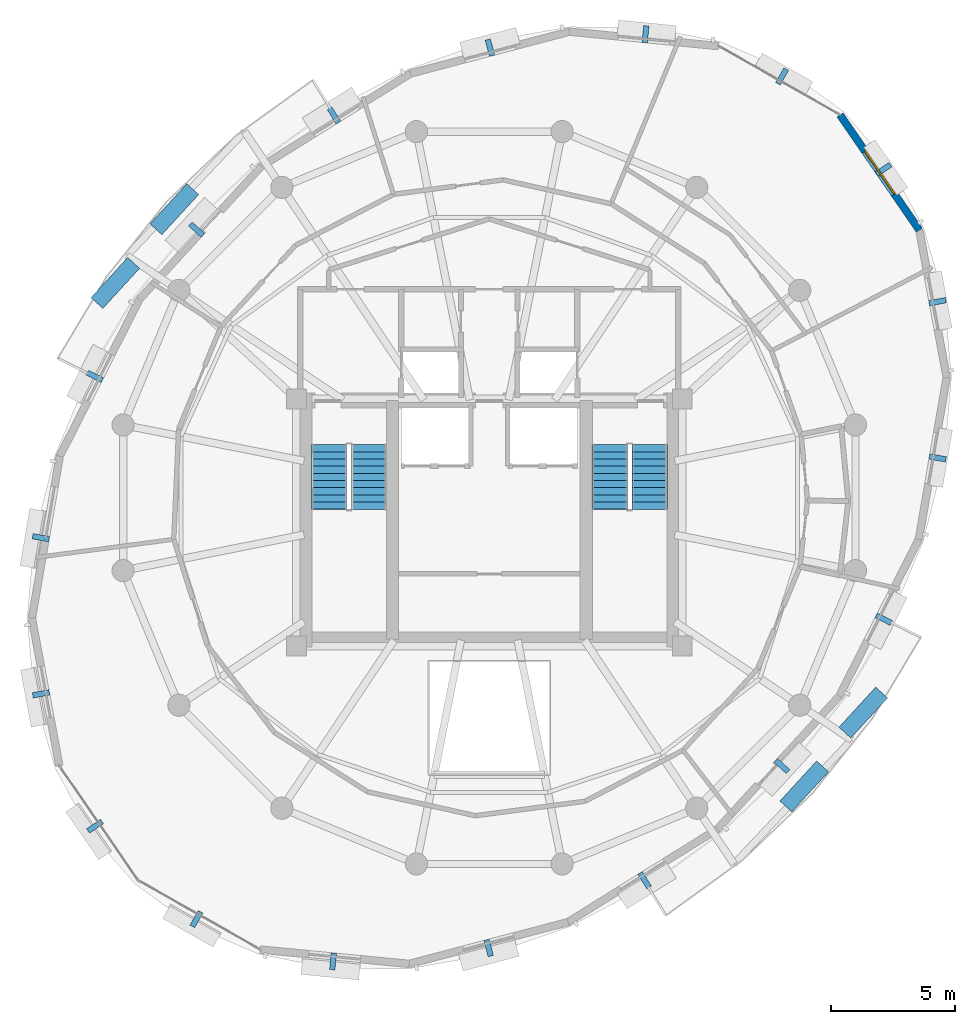
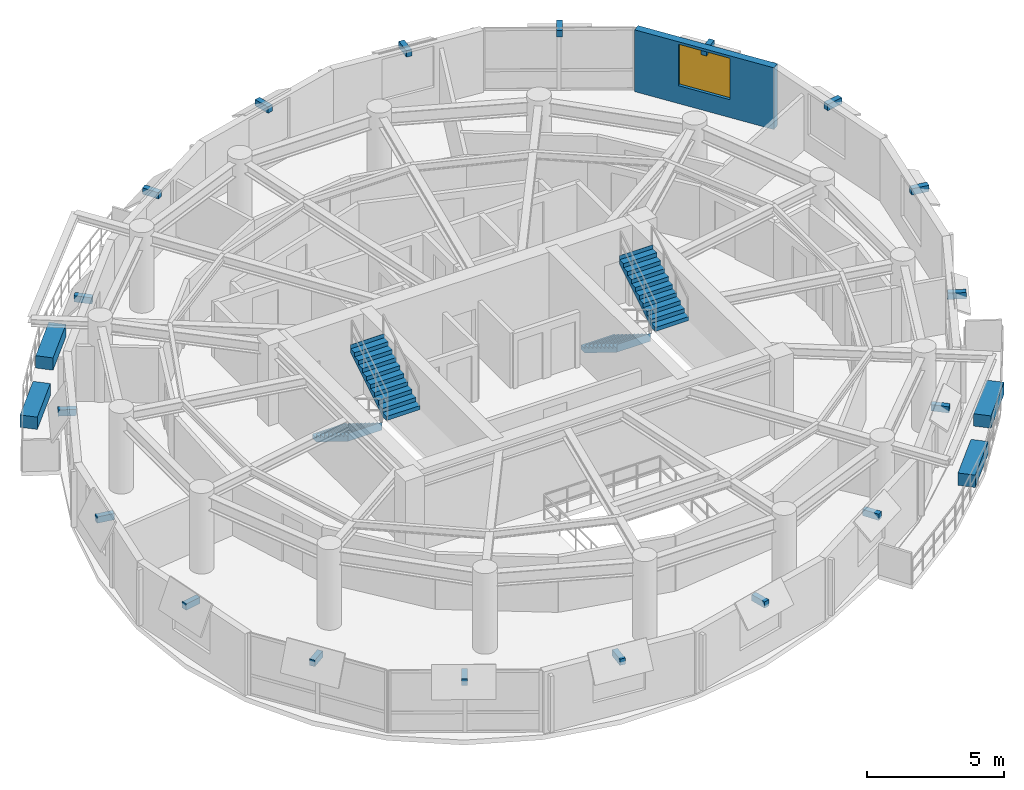
# One storey, part 10 of 12: 22 discrete accessories, 4 stair flights, 1 wall, 1 window, 1 opening, 2 elements without a shape of their own.
"""IFC4 building model written with IfcOpenShell, lengths in metres."""

from ifc_helpers import new_model, si_unit, direction, frame, frame_2d, origin, origin_2d, place, context, subcontext, project, spatial, polyline, rectangle, outline, extrude, material, layer, layer_set, type_object, element, fill, aggregate, save


model = new_model("IFC4")

# Units and contexts
model_context = context("Model", 3, precision=1e-05, world=origin(), true_north=direction((0.0, 1.0)))
body_context = subcontext(model_context, "Body", "Model", "MODEL_VIEW")
ifc_project = project(units=[si_unit("LENGTHUNIT", "METRE"), si_unit("AREAUNIT", "SQUARE_METRE"), si_unit("VOLUMEUNIT", "CUBIC_METRE"), si_unit("PLANEANGLEUNIT", "RADIAN"), si_unit("MASSUNIT", "GRAM", prefix="KILO"), si_unit("THERMODYNAMICTEMPERATUREUNIT", "KELVIN"), si_unit("POWERUNIT", "WATT")], contexts=[model_context])

# Site, building, storey
site_placement = place(None, origin())
site = spatial("IfcSite", under=ifc_project, at=site_placement, CompositionType="ELEMENT")
building_placement = place(site_placement, origin())
building = spatial("IfcBuilding", under=site, at=building_placement, Name="Ocrelia Relay Tower", CompositionType="ELEMENT")
storey_placement = place(building_placement, frame((0.0, 0.0, 230.39990234375)))
storey = spatial("IfcBuildingStorey", under=building, at=storey_placement, Name="L56", CompositionType="ELEMENT", Elevation=230.39990234375)

# Wall, opening, window
ifc_material_1 = material(Name="Precast concrete C40/50 with oxide terracotta", Category="masonry")
ifc_layer = layer(ifc_material_1, 0.300048828125, Name="Precast concrete C40/50 with oxide terracotta")
ifc_layer_set = layer_set([ifc_layer], Name="Precast concrete C40/50 with oxide terracotta")
wall_type = type_object("IfcWallType", Name="W-EXT-TERR-300", PredefinedType="SOLIDWALL", material=ifc_layer_set)
wall_placement = place(storey_placement, frame((51.3916015625, 36.828857421875, 0.0), z_axis=(0.0, 0.0, 1.0), x_axis=(-0.567062329137, 0.823674884207, 0.0)))
wall = element("IfcWall", 1, at=wall_placement, inside=storey, type_object=wall_type, Name="L56 Oxide Terracotta Facade Wall 18", PredefinedType="SOLIDWALL", context=body_context, shape_type="SweptSolid", body=[
    extrude(rectangle(XDim=5.650390625, YDim=0.300048828125, at=frame_2d((2.8251953125, 0.0))), origin(), (0.0, 0.0, 1.0), 2.760009765625),
])
opening_placement = place(wall_placement, frame((1.77490234375, 0.0, 0.800048828125)))
opening = element("IfcOpeningElement", 2, at=opening_placement, cuts=wall, Name="Opening W-07", PredefinedType="OPENING", context=body_context, shape_type="SweptSolid", body=[
    extrude(rectangle(XDim=2.10009765625, YDim=1.85009765625, at=frame_2d((1.050048828125, 0.925048828125))), frame((0.0, 0.16015625, 0.0), z_axis=(0.0, -1.0, 0.0), x_axis=(1.0, 0.0, 0.0)), (0.0, 0.0, 1.0), 0.320068359375),
])
ifc_material_2 = material(Name="Clear double-glazed low-E glass", Category="glass")
window_type = type_object("IfcWindowType", Name="WIN-Z4-2100x2200", PartitioningType="DOUBLE_PANEL_VERTICAL", PredefinedType="WINDOW", material=ifc_material_2)
window_placement = place(opening_placement, origin())
window = element("IfcWindow", 3, at=window_placement, inside=storey, type_object=window_type, Name="L56 Facade Module Window 18", OverallHeight=1.85009765625, OverallWidth=2.10009765625, PartitioningType="SINGLE_PANEL", PredefinedType="WINDOW", context=body_context, shape_type="SweptSolid", body=[
    extrude(rectangle(XDim=2.10009765625, YDim=1.85009765625, at=frame_2d((1.050048828125, 0.925048828125))), frame((0.0, 0.030029296875, 0.0), z_axis=(0.0, -1.0, 0.0), x_axis=(1.0, 0.0, 0.0)), (0.0, 0.0, 1.0), 0.06005859375),
])
fill(opening, window)

# Stair, stair flights
ifc_material_3 = material(Name="Concrete C50/60", Category="concrete")
stair_type = type_object("IfcStairType", Name="ST-DL-1420-R180", PredefinedType="HALF_TURN_STAIR", material=ifc_material_3)
stair_1_placement = place(storey_placement, origin())
stair_1 = element("IfcStair", 4, at=stair_1_placement, inside=storey, type_object=stair_type, Name="L56 West Core Exit Stair ST1", PredefinedType="HALF_TURN_STAIR")
stair_flight_type = type_object("IfcStairFlightType", Name="STF-DL-1420-R180", PredefinedType="STRAIGHT", material=ifc_material_3)
stair_flight_1_placement = place(storey_placement, frame((27.52001953125, 28.14990234375, 0.0), z_axis=(0.0, 0.0, 1.0), x_axis=(0.0, -1.0, 0.0)))
stair_flight_1 = element("IfcStairFlight", 5, at=stair_flight_1_placement, type_object=stair_flight_type, Name="ST1 flight 1", NumberOfRisers=10, NumberOfTreads=9, PredefinedType="STRAIGHT", RiserHeight=0.18, TreadLength=0.29, context=body_context, shape_type="SweptSolid", body=[
    extrude(outline(polyline([(-0.008056640625, 0.0), (-0.008056640625, 0.179931640625), (0.0, 0.179931640625), (0.2900390625, 0.179931640625), (0.2900390625, 0.360107421875), (0.580078125, 0.360107421875), (0.580078125, 0.5400390625), (0.8701171875, 0.5400390625), (0.8701171875, 0.719970703125), (1.159912109375, 0.719970703125), (1.159912109375, 0.89990234375), (1.449951171875, 0.89990234375), (1.449951171875, 1.080078125), (1.739990234375, 1.080078125), (1.739990234375, 1.260009765625), (2.030029296875, 1.260009765625), (2.030029296875, 1.43994140625), (2.320068359375, 1.43994140625), (2.320068359375, 1.6201171875), (2.610107421875, 1.6201171875), (2.610107421875, 1.800048828125), (2.617919921875, 1.800048828125), (2.617919921875, 1.443603515625), (0.2841796875, 0.0), (-0.008056640625, 0.0)])), frame((0.0, 0.7099609375, 0.0), z_axis=(0.0, -1.0, 0.0), x_axis=(1.0, 0.0, 0.0)), (0.0, 0.0, 1.0), 1.419921875),
])
stair_flight_2_placement = place(storey_placement, frame((29.139892578125, 25.5400390625, 1.800048828125), z_axis=(0.0, 0.0, 1.0), x_axis=(0.0, 1.0, 0.0)))
stair_flight_2 = element("IfcStairFlight", 6, at=stair_flight_2_placement, type_object=stair_flight_type, Name="ST1 flight 2", NumberOfRisers=10, NumberOfTreads=9, PredefinedType="STRAIGHT", RiserHeight=0.18, TreadLength=0.29, context=body_context, shape_type="SweptSolid", body=[
    extrude(outline(polyline([(-0.008056640625, 0.0), (-0.008056640625, 0.179931640625), (0.0, 0.179931640625), (0.2900390625, 0.179931640625), (0.2900390625, 0.360107421875), (0.580078125, 0.360107421875), (0.580078125, 0.5400390625), (0.8701171875, 0.5400390625), (0.8701171875, 0.719970703125), (1.159912109375, 0.719970703125), (1.159912109375, 0.89990234375), (1.449951171875, 0.89990234375), (1.449951171875, 1.080078125), (1.739990234375, 1.080078125), (1.739990234375, 1.260009765625), (2.030029296875, 1.260009765625), (2.030029296875, 1.43994140625), (2.320068359375, 1.43994140625), (2.320068359375, 1.6201171875), (2.610107421875, 1.6201171875), (2.610107421875, 1.800048828125), (2.617919921875, 1.800048828125), (2.617919921875, 1.443603515625), (0.2841796875, 0.0), (-0.008056640625, 0.0)])), frame((0.0, 0.7099609375, 0.0), z_axis=(0.0, -1.0, 0.0), x_axis=(1.0, 0.0, 0.0)), (0.0, 0.0, 1.0), 1.419921875),
])
aggregate(stair_1, [stair_flight_1, stair_flight_2])

stair_2_placement = place(storey_placement, origin())
stair_2 = element("IfcStair", 7, at=stair_2_placement, inside=storey, type_object=stair_type, Name="L56 East Core Exit Stair ST2", PredefinedType="HALF_TURN_STAIR")
stair_flight_3_placement = place(storey_placement, frame((38.8701171875, 28.14990234375, 0.0), z_axis=(0.0, 0.0, 1.0), x_axis=(0.0, -1.0, 0.0)))
stair_flight_3 = element("IfcStairFlight", 8, at=stair_flight_3_placement, type_object=stair_flight_type, Name="ST2 flight 1", NumberOfRisers=10, NumberOfTreads=9, PredefinedType="STRAIGHT", RiserHeight=0.18, TreadLength=0.29, context=body_context, shape_type="SweptSolid", body=[
    extrude(outline(polyline([(-0.008056640625, 0.0), (-0.008056640625, 0.179931640625), (0.0, 0.179931640625), (0.2900390625, 0.179931640625), (0.2900390625, 0.360107421875), (0.580078125, 0.360107421875), (0.580078125, 0.5400390625), (0.8701171875, 0.5400390625), (0.8701171875, 0.719970703125), (1.159912109375, 0.719970703125), (1.159912109375, 0.89990234375), (1.449951171875, 0.89990234375), (1.449951171875, 1.080078125), (1.739990234375, 1.080078125), (1.739990234375, 1.260009765625), (2.030029296875, 1.260009765625), (2.030029296875, 1.43994140625), (2.320068359375, 1.43994140625), (2.320068359375, 1.6201171875), (2.610107421875, 1.6201171875), (2.610107421875, 1.800048828125), (2.617919921875, 1.800048828125), (2.617919921875, 1.443603515625), (0.2841796875, 0.0), (-0.008056640625, 0.0)])), frame((0.0, 0.7099609375, 0.0), z_axis=(0.0, -1.0, 0.0), x_axis=(1.0, 0.0, 0.0)), (0.0, 0.0, 1.0), 1.419921875),
])
stair_flight_4_placement = place(storey_placement, frame((40.489990234375, 25.5400390625, 1.800048828125), z_axis=(0.0, 0.0, 1.0), x_axis=(0.0, 1.0, 0.0)))
stair_flight_4 = element("IfcStairFlight", 9, at=stair_flight_4_placement, type_object=stair_flight_type, Name="ST2 flight 2", NumberOfRisers=10, NumberOfTreads=9, PredefinedType="STRAIGHT", RiserHeight=0.18, TreadLength=0.29, context=body_context, shape_type="SweptSolid", body=[
    extrude(outline(polyline([(-0.008056640625, 0.0), (-0.008056640625, 0.179931640625), (0.0, 0.179931640625), (0.2900390625, 0.179931640625), (0.2900390625, 0.360107421875), (0.580078125, 0.360107421875), (0.580078125, 0.5400390625), (0.8701171875, 0.5400390625), (0.8701171875, 0.719970703125), (1.159912109375, 0.719970703125), (1.159912109375, 0.89990234375), (1.449951171875, 0.89990234375), (1.449951171875, 1.080078125), (1.739990234375, 1.080078125), (1.739990234375, 1.260009765625), (2.030029296875, 1.260009765625), (2.030029296875, 1.43994140625), (2.320068359375, 1.43994140625), (2.320068359375, 1.6201171875), (2.610107421875, 1.6201171875), (2.610107421875, 1.800048828125), (2.617919921875, 1.800048828125), (2.617919921875, 1.443603515625), (0.2841796875, 0.0), (-0.008056640625, 0.0)])), frame((0.0, 0.7099609375, 0.0), z_axis=(0.0, -1.0, 0.0), x_axis=(1.0, 0.0, 0.0)), (0.0, 0.0, 1.0), 1.419921875),
])
aggregate(stair_2, [stair_flight_3, stair_flight_4])

# Discrete accessories
ifc_material_4 = material(Name="Precast concrete C40/50 planter with highland greenery", Category="concrete")
discrete_accessory_type_1 = type_object("IfcDiscreteAccessoryType", Name="ACC-BALC-PLANTER", PredefinedType="USERDEFINED", material=ifc_material_4)
for number, where, z_axis, x_axis, name in (
    (10, (21.26171875, 37.67236328125, 0.0), (0.0, 0.0, 1.0), (0.675593086961, 0.737274698366, 0.0), "L56 Balcony Terracotta Planter with Greenery B1"),
    (11, (18.874755859375, 34.68798828125, 0.0), (0.0, 0.0, 1.0), (0.675593086961, 0.737274698366, 0.0), "L56 Balcony Terracotta Planter B1-2"),
    (12, (46.73828125, 14.32763671875, 0.0), (0.0, 0.0, 1.0), (-0.675593086961, -0.737274698366, 0.0), "L56 Balcony Terracotta Planter with Greenery B2"),
    (13, (49.125244140625, 17.31201171875, 0.0), (0.0, 0.0, 1.0), (-0.675593086961, -0.737274698366, 0.0), "L56 Balcony Terracotta Planter B2-2"),
):
    element("IfcDiscreteAccessory", number, at=place(storey_placement, frame(where, z_axis=z_axis, x_axis=x_axis)), inside=storey, type_object=discrete_accessory_type_1, Name=name, ObjectType="PLANTER", PredefinedType="USERDEFINED", context=body_context, shape_type="SweptSolid", body=[
        extrude(rectangle(XDim=2.199951171875, YDim=0.64990234375, at=origin_2d()), origin(), (0.0, 0.0, 1.0), 0.550048828125),
    ])
ifc_material_5 = material(Name="Steel S355", Category="steel")
discrete_accessory_type_2 = type_object("IfcDiscreteAccessoryType", Name="ACC-VISOR-BRACKET", PredefinedType="BRACKET", material=ifc_material_5)
for number, where, z_axis, x_axis, name in (
    (14, (45.84375, 43.040283203125, 2.4599609375), (0.0, 0.0, 1.0), (-0.869945755345, 0.493147424972, 0.0), "L56 Visor Mounting Bracket 01"),
    (15, (40.319091796875, 44.750244140625, 2.4599609375), (0.0, 0.0, 1.0), (-0.995366071038, 0.096158123039, 0.0), "L56 Visor Mounting Bracket 02"),
    (16, (34.0263671875, 44.20654296875, 2.4599609375), (0.0, 0.0, 1.0), (-0.96706459219, -0.254531087556, 0.0), "L56 Visor Mounting Bracket 03"),
    (17, (27.718505859375, 41.466064453125, 2.4599609375), (0.0, 0.0, 1.0), (-0.848887747124, -0.528573166916, 0.0), "L56 Visor Mounting Bracket 04"),
    (18, (22.16259765625, 36.846923828125, 2.4599609375), (0.0, 0.0, 1.0), (-0.675589882971, -0.737277634292, 0.0), "L56 Visor Mounting Bracket 05"),
    (19, (18.04541015625, 30.90966796875, 2.4599609375), (0.0, 0.0, 1.0), (-0.452574254264, -0.891726720682, 0.0), "L56 Visor Mounting Bracket 06"),
    (20, (15.864990234375, 24.386962890625, 2.4599609375), (0.0, 0.0, 1.0), (-0.169288865435, -0.985566476723, 0.0), "L56 Visor Mounting Bracket 07"),
    (21, (15.871826171875, 18.071044921875, 2.4599609375), (0.0, 0.0, 1.0), (0.182551188178, -0.98319635053, 0.0), "L56 Visor Mounting Bracket 08"),
    (22, (18.056884765625, 12.716064453125, 2.4599609375), (0.0, 0.0, 1.0), (0.567086774101, -0.823658054438, 0.0), "L56 Visor Mounting Bracket 09"),
    (23, (22.15625, 8.959716796875, 2.4599609375), (0.0, 0.0, 1.0), (0.869945755345, -0.493147424972, 0.0), "L56 Visor Mounting Bracket 10"),
    (24, (27.680908203125, 7.249755859375, 2.4599609375), (0.0, 0.0, 1.0), (0.995366071038, -0.096158123039, 0.0), "L56 Visor Mounting Bracket 11"),
    (25, (33.9736328125, 7.79345703125, 2.4599609375), (0.0, 0.0, 1.0), (0.96706459219, 0.254531087556, 0.0), "L56 Visor Mounting Bracket 12"),
    (26, (40.281494140625, 10.533935546875, 2.4599609375), (0.0, 0.0, 1.0), (0.848887747124, 0.528573166916, 0.0), "L56 Visor Mounting Bracket 13"),
    (27, (45.83740234375, 15.153076171875, 2.4599609375), (0.0, 0.0, 1.0), (0.675589882971, 0.737277634292, 0.0), "L56 Visor Mounting Bracket 14"),
    (28, (49.95458984375, 21.09033203125, 2.4599609375), (0.0, 0.0, 1.0), (0.452574254264, 0.891726720682, 0.0), "L56 Visor Mounting Bracket 15"),
    (29, (52.135009765625, 27.613037109375, 2.4599609375), (0.0, 0.0, 1.0), (0.169288865435, 0.985566476723, 0.0), "L56 Visor Mounting Bracket 16"),
    (30, (52.128173828125, 33.928955078125, 2.4599609375), (0.0, 0.0, 1.0), (-0.182551188178, 0.98319635053, 0.0), "L56 Visor Mounting Bracket 17"),
    (31, (49.943115234375, 39.283935546875, 2.4599609375), (0.0, 0.0, 1.0), (-0.567086774101, 0.823658054438, 0.0), "L56 Visor Mounting Bracket 18"),
):
    element("IfcDiscreteAccessory", number, at=place(storey_placement, frame(where, z_axis=z_axis, x_axis=x_axis)), inside=storey, type_object=discrete_accessory_type_2, Name=name, PredefinedType="BRACKET", context=body_context, shape_type="SweptSolid", body=[
        extrude(rectangle(XDim=0.219970703125, YDim=0.679931640625, at=origin_2d()), origin(), (0.0, 0.0, 1.0), 0.280029296875),
    ])

save(model, "model.ifc")
